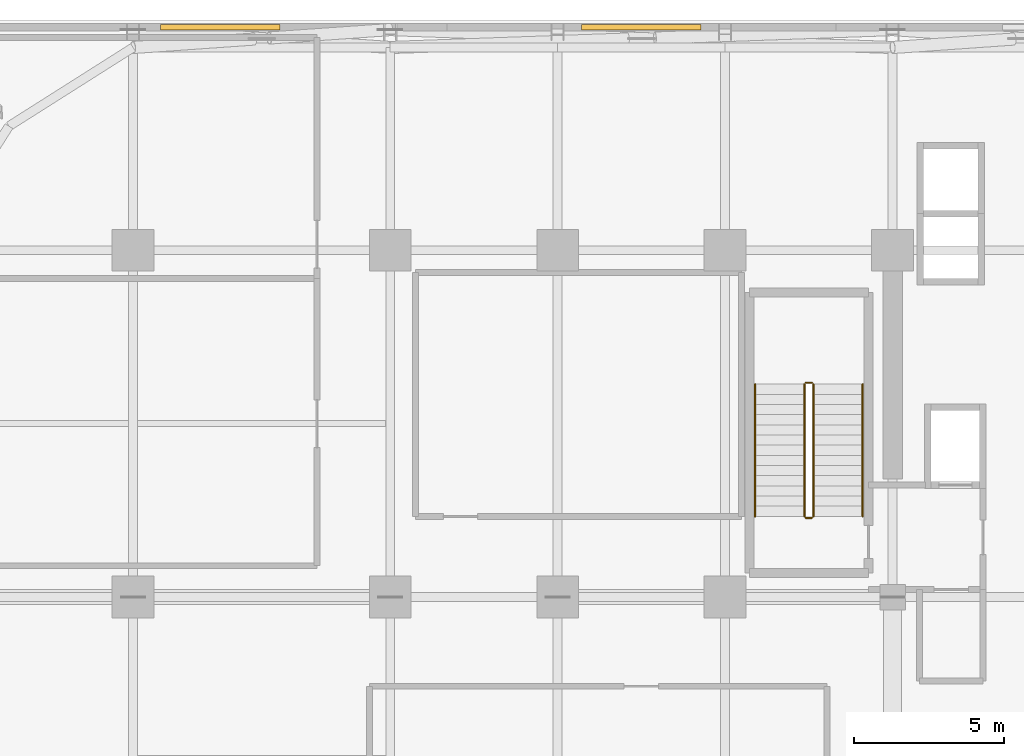
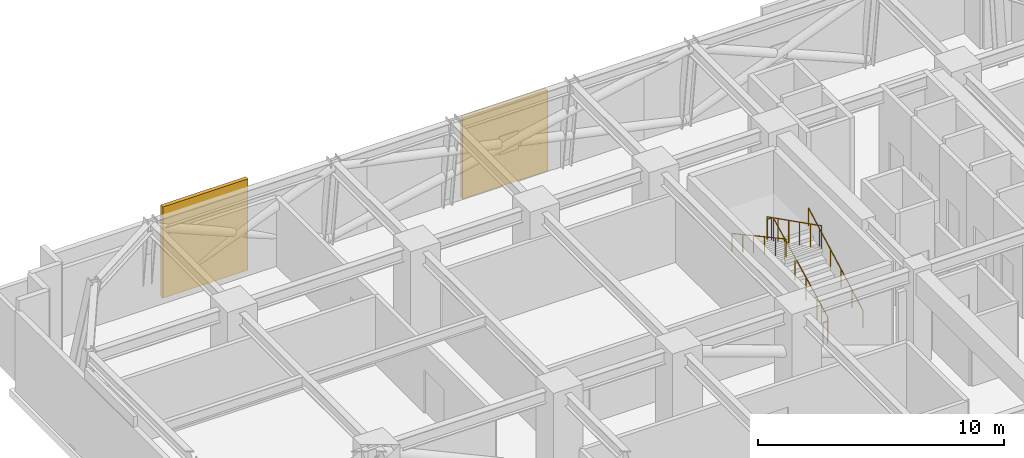
# One storey, part 16 of 17: 6 railings, 2 shading devices.
"""IFC4 building model written with IfcOpenShell, lengths in metres."""

from ifc_helpers import new_model, si_unit, direction, frame, origin, origin_2d, place, context, subcontext, project, spatial, rectangle, circle, extrude, source, transform, mapped, material, layer, layer_set, type_object, element, save


model = new_model("IFC4")

# Units and contexts
model_context = context("Model", 3, precision=1e-05, world=origin(), true_north=direction((0.0, 1.0)))
body_context = subcontext(model_context, "Body", "Model", "MODEL_VIEW")
ifc_project = project(units=[si_unit("LENGTHUNIT", "METRE"), si_unit("AREAUNIT", "SQUARE_METRE"), si_unit("VOLUMEUNIT", "CUBIC_METRE"), si_unit("PLANEANGLEUNIT", "RADIAN"), si_unit("MASSUNIT", "GRAM", prefix="KILO")], contexts=[model_context])

# Site, building, storey
site_placement = place(None, origin())
site = spatial("IfcSite", under=ifc_project, at=site_placement, CompositionType="ELEMENT")
building_placement = place(site_placement, origin())
building = spatial("IfcBuilding", under=site, at=building_placement, Name="Nahalor Promenade Grand Hotel", CompositionType="ELEMENT")
storey_placement = place(building_placement, frame((0.0, 0.0, 83.5)))
storey = spatial("IfcBuildingStorey", under=building, at=storey_placement, Name="L20", CompositionType="ELEMENT", Elevation=83.5)

# Railings
ifc_material_1 = material(Name="Steel S355JR", Category="steel")
railing_type_1 = type_object("IfcRailingType", Name="Steel Stair Guardrail 1150 mm", PredefinedType="GUARDRAIL", material=ifc_material_1)
railing_1_placement = place(storey_placement, frame((5.75, 8.10009765625, 0.17138671875)))
element("IfcRailing", 1, at=railing_1_placement, inside=storey, type_object=railing_type_1, Name="L20 ST1 stair guard 1", PredefinedType="GUARDRAIL", context=body_context, shape_type="SweptSolid", body=[
    extrude(circle(Radius=0.024048, at=origin_2d()), frame((0.0, 0.0, 1.1259765625), z_axis=(0.0, 0.89292277971, 0.450209850486), x_axis=(-1.0, 0.0, 0.0)), (0.0, 0.0, 1.0), 4.949951171875),
    extrude(circle(Radius=0.020996, at=origin_2d()), origin(), (0.0, 0.0, 1.0), 1.099853515625),
    extrude(circle(Radius=0.020996, at=origin_2d()), frame((0.0, 0.884033203125, 0.44580078125)), (0.0, 0.0, 1.0), 1.099853515625),
    extrude(circle(Radius=0.020996, at=origin_2d()), frame((0.0, 1.76806640625, 0.891357421875)), (0.0, 0.0, 1.0), 1.099853515625),
    extrude(circle(Radius=0.020996, at=origin_2d()), frame((0.0, 2.65185546875, 1.337158203125)), (0.0, 0.0, 1.0), 1.099853515625),
    extrude(circle(Radius=0.020996, at=origin_2d()), frame((0.0, 3.535888671875, 1.78271484375)), (0.0, 0.0, 1.0), 1.099853515625),
    extrude(circle(Radius=0.020996, at=origin_2d()), frame((0.0, 4.419921875, 2.228515625)), (0.0, 0.0, 1.0), 1.099853515625),
])
railing_2_placement = place(storey_placement, frame((5.699951171875, 12.570068359375, 2.39990234375)))
element("IfcRailing", 2, at=railing_2_placement, inside=storey, type_object=railing_type_1, Name="L20 ST1 stair guard 2", PredefinedType="GUARDRAIL", context=body_context, shape_type="SweptSolid", body=[
    extrude(circle(Radius=0.024048, at=origin_2d()), frame((0.0, 0.0, 1.1259765625), z_axis=(-1.0, 0.0, 0.0), x_axis=(0.0, -1.0, 0.0)), (0.0, 0.0, 1.0), 0.199951171875),
    extrude(circle(Radius=0.020996, at=origin_2d()), origin(), (0.0, 0.0, 1.0), 1.099853515625),
    extrude(circle(Radius=0.020996, at=origin_2d()), frame((-0.199951171875, 0.0, 0.0)), (0.0, 0.0, 1.0), 1.099853515625),
])
railing_3_placement = place(storey_placement, frame((5.449951171875, 12.52001953125, 2.571533203125)))
element("IfcRailing", 3, at=railing_3_placement, inside=storey, type_object=railing_type_1, Name="L20 ST1 stair guard 3", PredefinedType="GUARDRAIL", context=body_context, shape_type="SweptSolid", body=[
    extrude(circle(Radius=0.024048, at=origin_2d()), frame((0.0, 0.0, 1.1259765625), z_axis=(0.0, -0.89292277971, 0.450209850486), x_axis=(1.0, 0.0, 0.0)), (0.0, 0.0, 1.0), 4.949951171875),
    extrude(circle(Radius=0.020996, at=origin_2d()), origin(), (0.0, 0.0, 1.0), 1.099853515625),
    extrude(circle(Radius=0.020996, at=origin_2d()), frame((0.0, -0.884033203125, 0.44580078125)), (0.0, 0.0, 1.0), 1.099853515625),
    extrude(circle(Radius=0.020996, at=origin_2d()), frame((0.0, -1.76806640625, 0.891357421875)), (0.0, 0.0, 1.0), 1.099853515625),
    extrude(circle(Radius=0.020996, at=origin_2d()), frame((0.0, -2.65185546875, 1.337158203125)), (0.0, 0.0, 1.0), 1.099853515625),
    extrude(circle(Radius=0.020996, at=origin_2d()), frame((0.0, -3.535888671875, 1.78271484375)), (0.0, 0.0, 1.0), 1.099853515625),
    extrude(circle(Radius=0.020996, at=origin_2d()), frame((0.0, -4.419921875, 2.228515625)), (0.0, 0.0, 1.0), 1.099853515625),
])
railing_4_placement = place(storey_placement, frame((5.699951171875, 8.050048828125, 0.0)))
element("IfcRailing", 4, at=railing_4_placement, inside=storey, type_object=railing_type_1, Name="L20 ST1 stair guard 4", PredefinedType="GUARDRAIL", context=body_context, shape_type="SweptSolid", body=[
    extrude(circle(Radius=0.024048, at=origin_2d()), frame((0.0, 0.0, 1.1259765625), z_axis=(-1.0, 0.0, 0.0), x_axis=(0.0, -1.0, 0.0)), (0.0, 0.0, 1.0), 0.199951171875),
    extrude(circle(Radius=0.020996, at=origin_2d()), origin(), (0.0, 0.0, 1.0), 1.099853515625),
    extrude(circle(Radius=0.020996, at=origin_2d()), frame((-0.199951171875, 0.0, 0.0)), (0.0, 0.0, 1.0), 1.099853515625),
])
railing_type_2 = type_object("IfcRailingType", Name="Steel Stair Handrail 900 mm", PredefinedType="HANDRAIL", material=ifc_material_1)
railing_5_placement = place(storey_placement, frame((7.39990234375, 8.10009765625, 0.17138671875)))
element("IfcRailing", 5, at=railing_5_placement, inside=storey, type_object=railing_type_2, Name="L20 ST1 stair handrail 1", PredefinedType="HANDRAIL", context=body_context, shape_type="SweptSolid", body=[
    extrude(circle(Radius=0.024048, at=origin_2d()), frame((0.0, 0.0, 0.8759765625), z_axis=(0.0, 0.878790038763, 0.477208620806), x_axis=(-1.0, 0.0, 0.0)), (0.0, 0.0, 1.0), 5.029541015625),
    extrude(circle(Radius=0.020996, at=origin_2d()), origin(), (0.0, 0.0, 1.0), 0.849853515625),
    extrude(circle(Radius=0.020996, at=origin_2d()), frame((0.0, 0.884033203125, 0.47998046875)), (0.0, 0.0, 1.0), 0.849853515625),
    extrude(circle(Radius=0.020996, at=origin_2d()), frame((0.0, 1.76806640625, 0.9599609375)), (0.0, 0.0, 1.0), 0.849853515625),
    extrude(circle(Radius=0.020996, at=origin_2d()), frame((0.0, 2.65185546875, 1.440185546875)), (0.0, 0.0, 1.0), 0.849853515625),
    extrude(circle(Radius=0.020996, at=origin_2d()), frame((0.0, 3.535888671875, 1.920166015625)), (0.0, 0.0, 1.0), 0.849853515625),
    extrude(circle(Radius=0.020996, at=origin_2d()), frame((0.0, 4.419921875, 2.400146484375)), (0.0, 0.0, 1.0), 0.849853515625),
])
railing_6_placement = place(storey_placement, frame((3.800048828125, 12.52001953125, 2.571533203125)))
element("IfcRailing", 6, at=railing_6_placement, inside=storey, type_object=railing_type_2, Name="L20 ST1 stair handrail 2", PredefinedType="HANDRAIL", context=body_context, shape_type="SweptSolid", body=[
    extrude(circle(Radius=0.024048, at=origin_2d()), frame((0.0, 0.0, 0.8759765625), z_axis=(0.0, -0.878810394976, 0.477171132491), x_axis=(1.0, 0.0, 0.0)), (0.0, 0.0, 1.0), 5.029541015625),
    extrude(circle(Radius=0.020996, at=origin_2d()), origin(), (0.0, 0.0, 1.0), 0.849853515625),
    extrude(circle(Radius=0.020996, at=origin_2d()), frame((0.0, -0.884033203125, 0.47998046875)), (0.0, 0.0, 1.0), 0.849853515625),
    extrude(circle(Radius=0.020996, at=origin_2d()), frame((0.0, -1.76806640625, 0.9599609375)), (0.0, 0.0, 1.0), 0.849853515625),
    extrude(circle(Radius=0.020996, at=origin_2d()), frame((0.0, -2.65185546875, 1.43994140625)), (0.0, 0.0, 1.0), 0.849853515625),
    extrude(circle(Radius=0.020996, at=origin_2d()), frame((0.0, -3.535888671875, 1.919921875)), (0.0, 0.0, 1.0), 0.849853515625),
    extrude(circle(Radius=0.020996, at=origin_2d()), frame((0.0, -4.419921875, 2.39990234375)), (0.0, 0.0, 1.0), 0.849853515625),
])

# Shading devices
ifc_material_2 = material(Name="Anodised Bronze Aluminium EN AW-6063 T6", Category="aluminium")
ifc_layer = layer(ifc_material_2, 0.179931640625)
ifc_layer_set = layer_set([ifc_layer], Name="Anodised Bronze Aluminium EN AW-6063 T6")
shading_device_type = type_object("IfcShadingDeviceType", Name="Shade-PlantLouvre-Bronze", PredefinedType="USERDEFINED", material=ifc_layer_set)
shared_shape_1 = source(origin(), body_context, "Body", "SweptSolid", [
    extrude(rectangle(XDim=4.0, YDim=0.179931640625, at=origin_2d()), origin(), (0.0, 0.0, 1.0), 4.530029296875),
])
shading_device_1_placement = place(storey_placement, frame((-14.080078125, 24.4599609375, 0.0), z_axis=(0.0, 0.0, 1.0), x_axis=(1.0, 0.0, 0.0)))
element("IfcShadingDevice", 7, at=shading_device_1_placement, inside=storey, type_object=shading_device_type, Name="LV-L20-NL", ObjectType="LOUVRE", PredefinedType="USERDEFINED", context=body_context, shape_type="MappedRepresentation", body=[
    mapped(shared_shape_1, transform((0.0, 0.0, 0.0), scale=1.0)),
])
shared_shape_2 = source(origin(), body_context, "Body", "SweptSolid", [
    extrude(rectangle(XDim=4.0, YDim=0.179931640625, at=origin_2d()), origin(), (0.0, 0.0, 1.0), 4.010009765625),
])
shading_device_2_placement = place(storey_placement, frame((0.0, 24.4599609375, 0.0), z_axis=(0.0, 0.0, 1.0), x_axis=(1.0, 0.0, 0.0)))
element("IfcShadingDevice", 8, at=shading_device_2_placement, inside=storey, type_object=shading_device_type, Name="LV-L20-NM", ObjectType="LOUVRE", PredefinedType="USERDEFINED", context=body_context, shape_type="MappedRepresentation", body=[
    mapped(shared_shape_2, transform((0.0, 0.0, 0.0), scale=1.0)),
])

save(model, "model.ifc")
